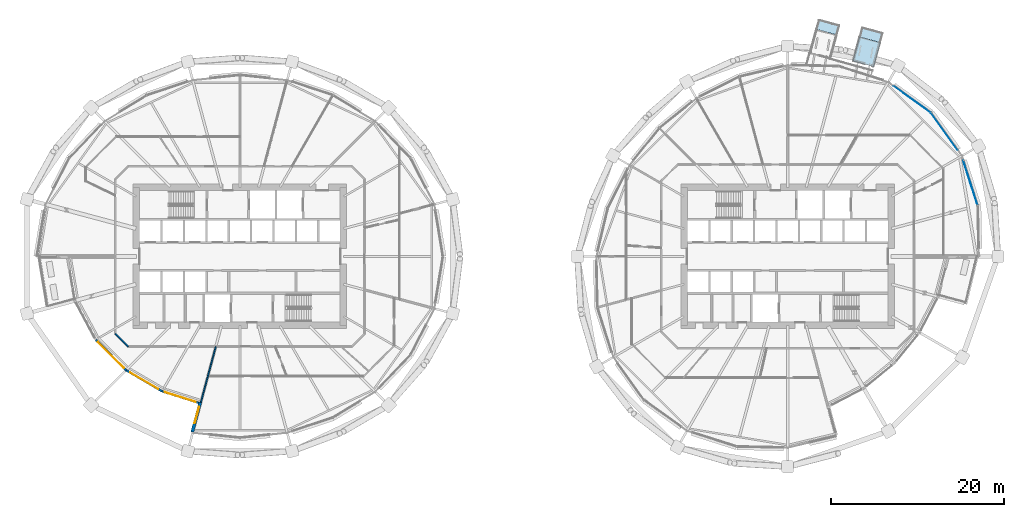
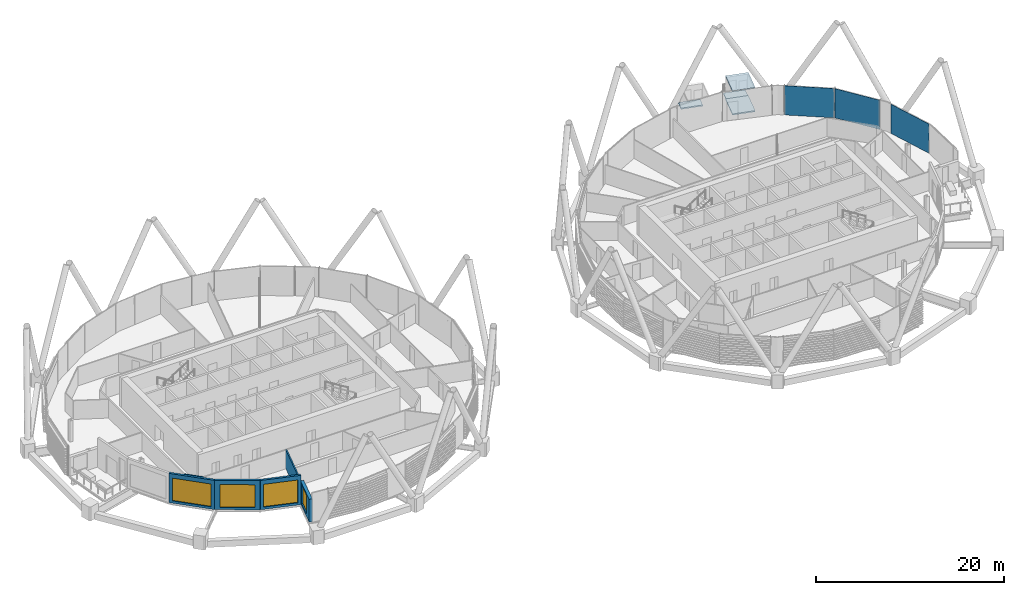
# One storey, part 22 of 38: 6 walls, 4 slabs, 4 windows, 3 plates, 4 openings, 1 element without a shape of its own.
"""IFC4 building model written with IfcOpenShell, lengths in metres."""

from ifc_helpers import new_model, si_unit, direction, frame, frame_2d, origin, origin_2d, place, context, subcontext, project, spatial, polyline, rectangle, outline, extrude, material, layer, layer_set, type_object, element, fill, aggregate, save


model = new_model("IFC4")

# Units and contexts
model_context = context("Model", 3, precision=1e-05, world=origin(), true_north=direction((0.0, 1.0)))
body_context = subcontext(model_context, "Body", "Model", "MODEL_VIEW")
ifc_project = project(units=[si_unit("LENGTHUNIT", "METRE"), si_unit("AREAUNIT", "SQUARE_METRE"), si_unit("VOLUMEUNIT", "CUBIC_METRE"), si_unit("PLANEANGLEUNIT", "RADIAN"), si_unit("MASSUNIT", "GRAM", prefix="KILO")], contexts=[model_context])

# Site, building, storey
site_placement = place(None, origin())
site = spatial("IfcSite", under=ifc_project, at=site_placement, CompositionType="ELEMENT")
building_placement = place(site_placement, origin())
building = spatial("IfcBuilding", under=site, at=building_placement, Name="Rimbun Link Towers", CompositionType="ELEMENT")
storey_placement = place(building_placement, frame((0.0, 0.0, 93.0)))
storey = spatial("IfcBuildingStorey", under=building, at=storey_placement, Name="L22", CompositionType="ELEMENT", Elevation=93.0)

# Slabs
ifc_material_1 = material(Name="Insulated metal floor panel on steel frame", Category="steel")
ifc_layer_1 = layer(ifc_material_1, 0.159912109375)
ifc_layer_set_1 = layer_set([ifc_layer_1], Name="CAPSULE balcony panel 160")
slab_type_1 = type_object("IfcSlabType", Name="CAPSULE balcony panel 160", PredefinedType="FLOOR", material=ifc_layer_set_1)
slab_1_placement = place(storey_placement, frame((0.0, 0.0, -0.159912109375)))
element("IfcSlab", 1, at=slab_1_placement, inside=storey, type_object=slab_type_1, Name="CAPSULE D222.01 balcony floor", PredefinedType="FLOOR", context=body_context, shape_type="SweptSolid", body=[
    extrude(outline(polyline([(37.709716796875, 26.751953125), (35.395263671875, 27.3876953125), (35.10400390625, 26.326904296875), (37.418212890625, 25.691162109375), (37.709716796875, 26.751953125)])), origin(), (0.0, 0.0, 1.0), 0.159912109375),
])
slab_2_placement = place(storey_placement, frame((0.0, 0.0, -0.159912109375)))
element("IfcSlab", 2, at=slab_2_placement, inside=storey, type_object=slab_type_1, Name="CAPSULE D222.02 balcony floor", PredefinedType="FLOOR", context=body_context, shape_type="SweptSolid", body=[
    extrude(outline(polyline([(42.73193359375, 25.865234375), (40.417724609375, 26.5009765625), (40.12646484375, 25.440185546875), (42.440673828125, 24.8046875), (42.73193359375, 25.865234375)])), origin(), (0.0, 0.0, 1.0), 0.159912109375),
])
ifc_material_2 = material(Name="Insulated metal floor panel on steel frame", Category="steel")
ifc_layer_2 = layer(ifc_material_2, 0.159912109375)
ifc_layer_set_2 = layer_set([ifc_layer_2], Name="CAPSULE floor panel 160")
slab_type_2 = type_object("IfcSlabType", Name="CAPSULE floor panel 160", PredefinedType="FLOOR", material=ifc_layer_set_2)
slab_3_placement = place(storey_placement, frame((0.0, 0.0, -0.159912109375)))
element("IfcSlab", 3, at=slab_3_placement, inside=storey, type_object=slab_type_2, Name="CAPSULE D222.02 floor panel", PredefinedType="FLOOR", context=body_context, shape_type="SweptSolid", body=[
    extrude(outline(polyline([(42.48876953125, 24.79150390625), (40.078125, 25.45361328125), (39.31005859375, 22.6572265625), (41.720703125, 21.994873046875), (42.48876953125, 24.79150390625)])), origin(), (0.0, 0.0, 1.0), 0.159912109375),
])
ifc_material_3 = material(Name="Insulated metal roof panel with terracotta fascia", Category="masonry")
ifc_layer_3 = layer(ifc_material_3, 0.14990234375)
ifc_layer_set_3 = layer_set([ifc_layer_3], Name="CAPSULE roof panel 150")
slab_type_3 = type_object("IfcSlabType", Name="CAPSULE roof panel 150", PredefinedType="ROOF", material=ifc_layer_set_3)
slab_4_placement = place(storey_placement, frame((0.0, 0.0, 2.85009765625)))
element("IfcSlab", 4, at=slab_4_placement, inside=storey, type_object=slab_type_3, Name="CAPSULE D222.02 roof panel", PredefinedType="ROOF", context=body_context, shape_type="SweptSolid", body=[
    extrude(outline(polyline([(42.48876953125, 24.79150390625), (40.078125, 25.45361328125), (39.31005859375, 22.6572265625), (41.720703125, 21.994873046875), (42.48876953125, 24.79150390625)])), origin(), (0.0, 0.0, 1.0), 0.14990234375),
])

# Curtain wall, plates
ifc_material_4 = material(Name="Aluminium 6063-T6 and low-iron glass", Category="aluminium")
curtain_wall_type = type_object("IfcCurtainWallType", Name="CW1-Z2 unitised vision wall (zone 2)", PredefinedType="NOTDEFINED", material=ifc_material_4)
curtain_wall_placement = place(storey_placement, origin())
curtain_wall = element("IfcCurtainWall", 5, at=curtain_wall_placement, inside=storey, type_object=curtain_wall_type, Name="CW1 L22 T2", PredefinedType="NOTDEFINED")
ifc_material_5 = material(Name="Low-iron glass, laminated low-e unit", Category="glass")
ifc_layer_4 = layer(ifc_material_5, 0.028076171875)
ifc_layer_set_4 = layer_set([ifc_layer_4], Name="CW1 panel Low-iron glass 28")
plate_type = type_object("IfcPlateType", Name="CW1 panel Low-iron glass 28", PredefinedType="CURTAIN_PANEL", material=ifc_layer_set_4)
plate_1_placement = place(storey_placement, frame((46.193603515625, 18.18701171875, 0.0), z_axis=(0.0, 0.0, 1.0), x_axis=(0.812471013588, -0.583001588402, 0.0)))
plate_1 = element("IfcPlate", 6, at=plate_1_placement, type_object=plate_type, Name="CW1 panel", PredefinedType="CURTAIN_PANEL", context=body_context, shape_type="SweptSolid", body=[
    extrude(rectangle(XDim=5.320556640625, YDim=0.028076171875, at=origin_2d()), origin(), (0.0, 0.0, 1.0), 3.800048828125),
])
plate_2_placement = place(storey_placement, frame((52.936767578125, 8.514404296875, 0.0), z_axis=(0.0, 0.0, 1.0), x_axis=(0.30306620433, -0.952969504125, 0.0)))
plate_2 = element("IfcPlate", 7, at=plate_2_placement, type_object=plate_type, Name="CW1 panel", PredefinedType="CURTAIN_PANEL", context=body_context, shape_type="SweptSolid", body=[
    extrude(rectangle(XDim=5.446044921875, YDim=0.028076171875, at=origin_2d()), origin(), (0.0, 0.0, 1.0), 3.800048828125),
])
plate_3_placement = place(storey_placement, frame((49.92236328125, 14.4638671875, 0.0), z_axis=(0.0, 0.0, 1.0), x_axis=(0.583001588402, -0.812471013588, 0.0)))
plate_3 = element("IfcPlate", 8, at=plate_3_placement, type_object=plate_type, Name="CW1 panel", PredefinedType="CURTAIN_PANEL", context=body_context, shape_type="SweptSolid", body=[
    extrude(rectangle(XDim=5.2705078125, YDim=0.028076171875, at=origin_2d()), origin(), (0.0, 0.0, 1.0), 3.800048828125),
])
aggregate(curtain_wall, [plate_1, plate_2, plate_3])

# Wall, opening, window
ifc_material_6 = material(Name="Dark enamelled glass spandrel on insulated aluminium backpan", Category="aluminium")
ifc_layer_5 = layer(ifc_material_6, 0.25)
ifc_layer_set_5 = layer_set([ifc_layer_5], Name="CS dark enamelled spandrel wall 250")
wall_type_1 = type_object("IfcWallType", Name="CS dark enamelled spandrel wall 250", PredefinedType="STANDARD", material=ifc_layer_set_5)
wall_1_placement = place(storey_placement, frame((-44.928955078125, -13.20166015625, 0.0), z_axis=(0.0, 0.0, 1.0), x_axis=(-0.706886974242, 0.707326519825, 0.0)))
wall_1 = element("IfcWall", 9, at=wall_1_placement, inside=storey, type_object=wall_type_1, Name="Crease spandrel wall", PredefinedType="STANDARD", context=body_context, shape_type="SweptSolid", body=[
    extrude(rectangle(XDim=4.9990234375, YDim=0.25, at=frame_2d((2.49951171875, 0.0))), origin(), (0.0, 0.0, 1.0), 3.800048828125),
])
opening_1_placement = place(wall_1_placement, frame((0.37451171875, 0.0, 0.300048828125)))
opening_1 = element("IfcOpeningElement", 10, at=opening_1_placement, cuts=wall_1, Name="Opening WR42H295", PredefinedType="OPENING", context=body_context, shape_type="SweptSolid", body=[
    extrude(rectangle(XDim=4.25, YDim=2.949951171875, at=frame_2d((2.125, 1.47509765625))), frame((0.0, 0.135009765625, 0.0), z_axis=(0.0, -1.0, 0.0), x_axis=(1.0, 0.0, 0.0)), (0.0, 0.0, 1.0), 0.27001953125),
])
ifc_material_7 = material(Name="Aluminium framed fixed window, dark tinted low-e glass", Category="aluminium")
window_type_1 = type_object("IfcWindowType", Name="WR ribbon window 4250X2950", PartitioningType="SINGLE_PANEL", PredefinedType="WINDOW", material=ifc_material_7)
window_1_placement = place(opening_1_placement, origin())
window_1 = element("IfcWindow", 11, at=window_1_placement, inside=storey, type_object=window_type_1, Name="Crease ribbon window", OverallHeight=2.949951171875, OverallWidth=4.25, PartitioningType="SINGLE_PANEL", PredefinedType="WINDOW", context=body_context, shape_type="SweptSolid", body=[
    extrude(rectangle(XDim=4.25, YDim=2.949951171875, at=frame_2d((2.125, 1.47509765625))), frame((0.0, 0.030029296875, 0.0), z_axis=(0.0, -1.0, 0.0), x_axis=(1.0, 0.0, 0.0)), (0.0, 0.0, 1.0), 0.06005859375),
])
fill(opening_1, window_1)

wall_2_placement = place(storey_placement, frame((-40.76611328125, -15.642822265625, 0.0), z_axis=(0.0, 0.0, 1.0), x_axis=(-0.862618805527, 0.505854520935, 0.0)))
wall_2 = element("IfcWall", 12, at=wall_2_placement, inside=storey, type_object=wall_type_1, Name="Crease spandrel wall", PredefinedType="STANDARD", context=body_context, shape_type="SweptSolid", body=[
    extrude(rectangle(XDim=4.825927734375, YDim=0.25, at=frame_2d((2.4130859375, 0.0))), origin(), (0.0, 0.0, 1.0), 3.800048828125),
])
opening_2_placement = place(wall_2_placement, frame((0.5283203125, 0.0, 0.300048828125)))
opening_2 = element("IfcOpeningElement", 13, at=opening_2_placement, cuts=wall_2, Name="Opening WR38H295", PredefinedType="OPENING", context=body_context, shape_type="SweptSolid", body=[
    extrude(rectangle(XDim=3.75, YDim=2.949951171875, at=frame_2d((1.875, 1.47509765625))), frame((0.0, 0.135009765625, 0.0), z_axis=(0.0, -1.0, 0.0), x_axis=(1.0, 0.0, 0.0)), (0.0, 0.0, 1.0), 0.27001953125),
])
ifc_material_8 = material(Name="Aluminium framed fixed window, dark tinted low-e glass", Category="aluminium")
window_type_2 = type_object("IfcWindowType", Name="WR ribbon window 3750X2950", PartitioningType="SINGLE_PANEL", PredefinedType="WINDOW", material=ifc_material_8)
window_2_placement = place(opening_2_placement, origin())
window_2 = element("IfcWindow", 14, at=window_2_placement, inside=storey, type_object=window_type_2, Name="Crease ribbon window", OverallHeight=2.949951171875, OverallWidth=3.75, PartitioningType="SINGLE_PANEL", PredefinedType="WINDOW", context=body_context, shape_type="SweptSolid", body=[
    extrude(rectangle(XDim=3.75, YDim=2.949951171875, at=frame_2d((1.875, 1.47509765625))), frame((0.0, 0.030029296875, 0.0), z_axis=(0.0, -1.0, 0.0), x_axis=(1.0, 0.0, 0.0)), (0.0, 0.0, 1.0), 0.06005859375),
])
fill(opening_2, window_2)

wall_3_placement = place(storey_placement, frame((-36.555908203125, -16.9697265625, 0.0), z_axis=(0.0, 0.0, 1.0), x_axis=(-0.953753862177, 0.300588706346, 0.0)))
wall_3 = element("IfcWall", 15, at=wall_3_placement, inside=storey, type_object=wall_type_1, Name="Crease spandrel wall", PredefinedType="STANDARD", context=body_context, shape_type="SweptSolid", body=[
    extrude(rectangle(XDim=4.414306640625, YDim=0.25, at=frame_2d((2.20703125, 0.0))), origin(), (0.0, 0.0, 1.0), 3.800048828125),
])
opening_3_placement = place(wall_3_placement, frame((0.332275390625, 0.0, 0.300048828125)))
opening_3 = element("IfcOpeningElement", 16, at=opening_3_placement, cuts=wall_3, Name="Opening WR38H295", PredefinedType="OPENING", context=body_context, shape_type="SweptSolid", body=[
    extrude(rectangle(XDim=3.75, YDim=2.949951171875, at=frame_2d((1.875, 1.47509765625))), frame((0.0, 0.135009765625, 0.0), z_axis=(0.0, -1.0, 0.0), x_axis=(1.0, 0.0, 0.0)), (0.0, 0.0, 1.0), 0.27001953125),
])
window_3_placement = place(opening_3_placement, origin())
window_3 = element("IfcWindow", 17, at=window_3_placement, inside=storey, type_object=window_type_2, Name="Crease ribbon window", OverallHeight=2.949951171875, OverallWidth=3.75, PartitioningType="SINGLE_PANEL", PredefinedType="WINDOW", context=body_context, shape_type="SweptSolid", body=[
    extrude(rectangle(XDim=3.75, YDim=2.949951171875, at=frame_2d((1.875, 1.47509765625))), frame((0.0, 0.030029296875, 0.0), z_axis=(0.0, -1.0, 0.0), x_axis=(1.0, 0.0, 0.0)), (0.0, 0.0, 1.0), 0.06005859375),
])
fill(opening_3, window_3)

ifc_material_9 = material(Name="Dark enamelled glass spandrel on insulated aluminium backpan", Category="aluminium")
ifc_layer_6 = layer(ifc_material_9, 0.3701171875)
ifc_layer_set_6 = layer_set([ifc_layer_6], Name="CS dark enamelled spandrel wall 370")
wall_type_2 = type_object("IfcWallType", Name="CS dark enamelled spandrel wall 370", PredefinedType="STANDARD", material=ifc_layer_set_6)
wall_4_placement = place(storey_placement, frame((-37.274169921875, -20.365234375, 0.0), z_axis=(0.0, 0.0, 1.0), x_axis=(0.258804260405, 0.965929787715, 0.0)))
wall_4 = element("IfcWall", 18, at=wall_4_placement, inside=storey, type_object=wall_type_2, Name="Crease spandrel wall", PredefinedType="STANDARD", context=body_context, shape_type="SweptSolid", body=[
    extrude(rectangle(XDim=3.580078125, YDim=0.3701171875, at=frame_2d((1.7900390625, 0.0))), origin(), (0.0, 0.0, 1.0), 2.9462890625),
])
opening_4_placement = place(wall_4_placement, frame((1.0595703125, 0.0, 0.300048828125)))
opening_4 = element("IfcOpeningElement", 19, at=opening_4_placement, cuts=wall_4, Name="Opening WR20H245", PredefinedType="OPENING", context=body_context, shape_type="SweptSolid", body=[
    extrude(rectangle(XDim=2.0, YDim=2.449951171875, at=frame_2d((1.0, 1.22509765625))), frame((0.0, 0.195068359375, 0.0), z_axis=(0.0, -1.0, 0.0), x_axis=(1.0, 0.0, 0.0)), (0.0, 0.0, 1.0), 0.39013671875),
])
ifc_material_10 = material(Name="Aluminium framed fixed window, dark tinted low-e glass", Category="aluminium")
window_type_3 = type_object("IfcWindowType", Name="WR ribbon window 2000X2450", PartitioningType="SINGLE_PANEL", PredefinedType="WINDOW", material=ifc_material_10)
window_4_placement = place(opening_4_placement, origin())
window_4 = element("IfcWindow", 20, at=window_4_placement, inside=storey, type_object=window_type_3, Name="Crease ribbon window", OverallHeight=2.449951171875, OverallWidth=2.0, PartitioningType="SINGLE_PANEL", PredefinedType="WINDOW", context=body_context, shape_type="SweptSolid", body=[
    extrude(rectangle(XDim=2.0, YDim=2.449951171875, at=frame_2d((1.0, 1.22509765625))), frame((0.0, 0.030029296875, 0.0), z_axis=(0.0, -1.0, 0.0), x_axis=(1.0, 0.0, 0.0)), (0.0, 0.0, 1.0), 0.06005859375),
])
fill(opening_4, window_4)

# Walls
ifc_material_11 = material(Name="Plasterboard on steel stud, mineral wool", Category="steel")
ifc_layer_7 = layer(ifc_material_11, 0.14990234375)
ifc_layer_set_7 = layer_set([ifc_layer_7], Name="Corridor wall EI 30 150 mm")
wall_type_3 = type_object("IfcWallType", Name="Corridor wall EI 30 150 mm", PredefinedType="PARTITIONING", material=ifc_layer_set_7)
wall_5_placement = place(storey_placement, frame((-46.199951171875, -8.95166015625, 0.0), z_axis=(0.0, 0.0, 1.0), x_axis=(0.707106781187, -0.707106781187, 0.0)))
element("IfcWall", 21, at=wall_5_placement, inside=storey, type_object=wall_type_3, Name="Corridor wall EI 30 150 mm", PredefinedType="PARTITIONING", context=body_context, shape_type="SweptSolid", body=[
    extrude(rectangle(XDim=2.118896484375, YDim=0.14990234375, at=frame_2d((1.0595703125, 0.0))), origin(), (0.0, 0.0, 1.0), 2.419921875),
])
ifc_material_12 = material(Name="Plasterboard on steel stud, mineral wool", Category="steel")
ifc_layer_8 = layer(ifc_material_12, 0.14990234375)
ifc_layer_set_8 = layer_set([ifc_layer_8], Name="Tenancy separation wall EI 60 150 mm")
wall_type_4 = type_object("IfcWallType", Name="Tenancy separation wall EI 60 150 mm", PredefinedType="PARTITIONING", material=ifc_layer_set_8)
wall_6_placement = place(storey_placement, frame((-34.550048828125, -10.449951171875, 0.0), z_axis=(0.0, 0.0, 1.0), x_axis=(-0.25883682997, -0.965921060673, 0.0)))
element("IfcWall", 22, at=wall_6_placement, inside=storey, type_object=wall_type_4, Name="Tenancy separation wall EI 60 150 mm", PredefinedType="PARTITIONING", context=body_context, shape_type="SweptSolid", body=[
    extrude(rectangle(XDim=6.70263671875, YDim=0.14990234375, at=frame_2d((3.351318359375, 0.0))), origin(), (0.0, 0.0, 1.0), 2.419921875),
])

save(model, "model.ifc")
